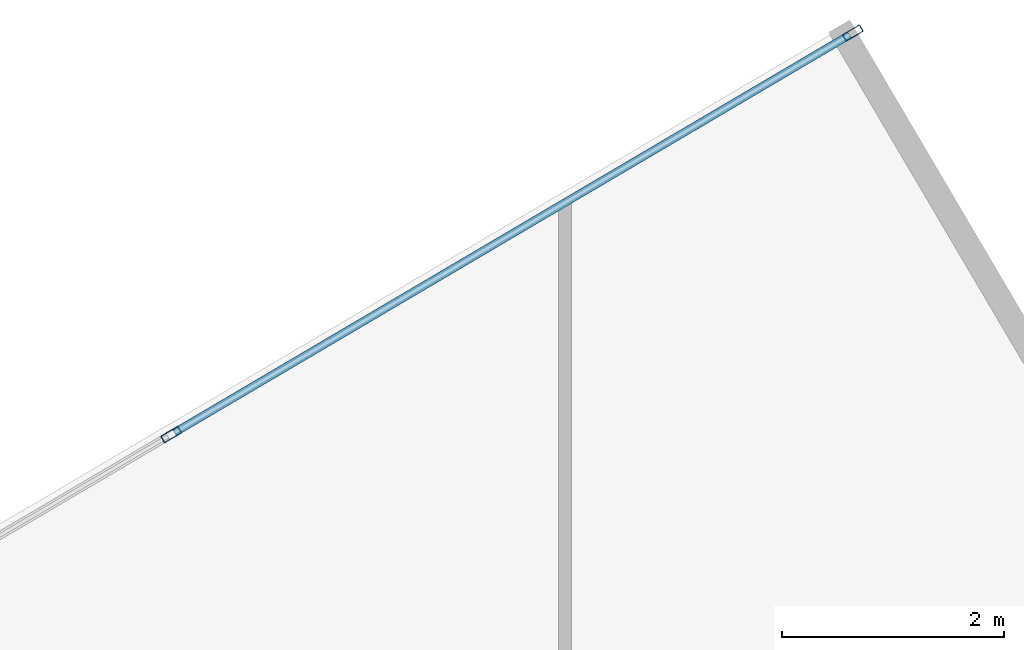
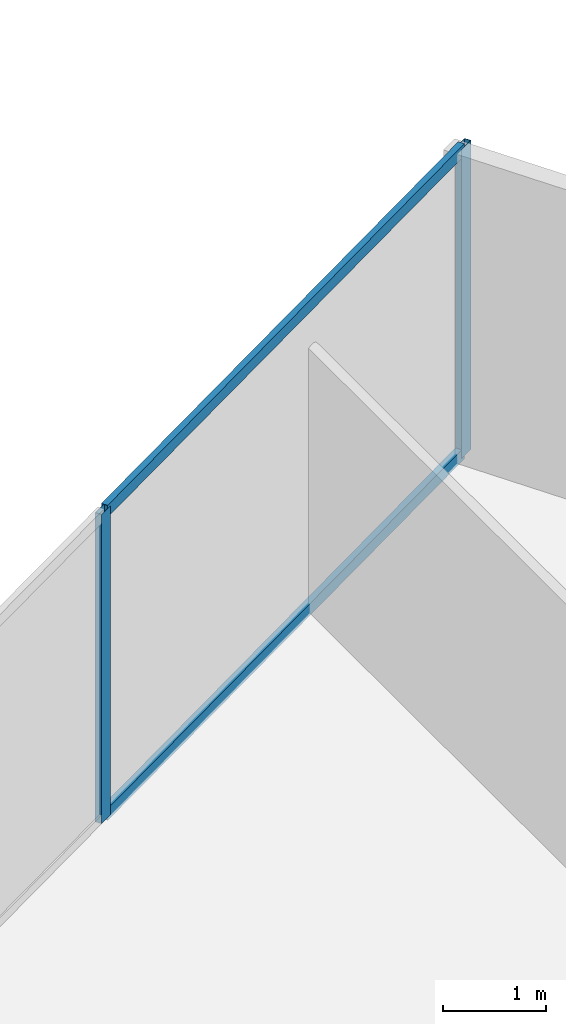
# One storey, part 14 of 20: 4 members, 1 element without a shape of its own.
"""IFC4 building model written with IfcOpenShell, lengths in metres."""

from ifc_helpers import new_model, si_unit, direction, frame, origin, origin_2d, place, context, subcontext, project, spatial, hollow_rectangle, extrude, source, transform, mapped, material, material_profile, profile_set, type_object, type_shapes, element, aggregate, save


model = new_model("IFC4")

# Units and contexts
model_context = context("Model", 3, precision=1e-05, world=origin(), true_north=direction((0.0, 1.0)))
body_context = subcontext(model_context, "Body", "Model", "MODEL_VIEW")
ifc_project = project(units=[si_unit("LENGTHUNIT", "METRE"), si_unit("AREAUNIT", "SQUARE_METRE"), si_unit("VOLUMEUNIT", "CUBIC_METRE"), si_unit("PLANEANGLEUNIT", "RADIAN"), si_unit("MASSUNIT", "GRAM", prefix="KILO")], contexts=[model_context])

# Site, building, storey
site_placement = place(None, origin())
site = spatial("IfcSite", under=ifc_project, at=site_placement, CompositionType="ELEMENT")
building_placement = place(site_placement, origin())
building = spatial("IfcBuilding", under=site, at=building_placement, Name="Krantzveldt Concourse Tower", CompositionType="ELEMENT")
storey_placement = place(building_placement, frame((0.0, 0.0, 299.0)))
storey = spatial("IfcBuildingStorey", under=building, at=storey_placement, Name="L73", CompositionType="ELEMENT", Elevation=299.0)

# Curtain wall, members
ifc_material = material(Name="Anodised aluminium 6063-T6", Category="aluminium")
curtain_wall_type = type_object("IfcCurtainWallType", Name="CW4", PredefinedType="USERDEFINED", material=ifc_material)
curtain_wall_placement = place(storey_placement, origin())
curtain_wall = element("IfcCurtainWall", 1, at=curtain_wall_placement, inside=storey, type_object=curtain_wall_type, Name="CW-L73-F01", ObjectType="UNITISED CURTAIN WALL", PredefinedType="USERDEFINED")
ifc_material_profile_1 = material_profile(ifc_material, hollow_rectangle(XDim=0.070068359375, YDim=0.179931640625, WallThickness=0.0048828125, at=origin_2d()), Name="Anodised aluminium 6063-T6", Category="aluminium")
ifc_profile_set_1 = profile_set([ifc_material_profile_1], Name="Anodised aluminium 6063-T6 - ALU-MULL 180x70x5")
member_type_1 = type_object("IfcMemberType", Name="CW-MUL-180", PredefinedType="MULLION", material=ifc_profile_set_1)
shared_shape_1 = source(origin(), body_context, "Body", "SweptSolid", [
    extrude(hollow_rectangle(XDim=0.070068359375, YDim=0.179931640625, WallThickness=0.0048828125, at=origin_2d()), origin(), (0.0, 0.0, 1.0), 3.669921875),
])
type_shapes(member_type_1, [shared_shape_1])
member_1_placement = place(storey_placement, frame((38.38916015625, 50.75048828125, 0.0), z_axis=(0.0, 0.0, 1.0), x_axis=(0.507538344223, -0.861629171479, 0.0)))
member_1 = element("IfcMember", 2, at=member_1_placement, type_object=member_type_1, Name="CW-Z56 mullion 1", PredefinedType="MULLION", context=body_context, shape_type="MappedRepresentation", body=[
    mapped(shared_shape_1, transform((0.0, 0.0, 0.0), x_axis=(1.0, 0.0, 0.0), y_axis=(0.0, 1.0, 0.0), z_axis=(0.0, 0.0, 1.0), scale=1.0)),
])
member_2_placement = place(storey_placement, frame((32.258544921875, 47.13916015625, 0.0), z_axis=(0.0, 0.0, 1.0), x_axis=(0.507538344223, -0.861629171479, 0.0)))
member_2 = element("IfcMember", 3, at=member_2_placement, type_object=member_type_1, Name="CW-Z56 mullion 2", PredefinedType="MULLION", context=body_context, shape_type="MappedRepresentation", body=[
    mapped(shared_shape_1, transform((0.0, 0.0, 0.0), x_axis=(1.0, 0.0, 0.0), y_axis=(0.0, 1.0, 0.0), z_axis=(0.0, 0.0, 1.0), scale=1.0)),
])
ifc_material_profile_2 = material_profile(ifc_material, hollow_rectangle(XDim=0.070068359375, YDim=0.139892578125, WallThickness=0.0048828125, at=origin_2d()), Name="Anodised aluminium 6063-T6", Category="aluminium")
ifc_profile_set_2 = profile_set([ifc_material_profile_2], Name="Anodised aluminium 6063-T6 - ALU-TRAN 140x70x5")
member_type_2 = type_object("IfcMemberType", Name="CW-TRN-150", PredefinedType="USERDEFINED", material=ifc_profile_set_2)
shared_shape_2 = source(origin(), body_context, "Body", "SweptSolid", [
    extrude(hollow_rectangle(XDim=0.070068359375, YDim=0.139892578125, WallThickness=0.0048828125, at=origin_2d()), origin(), (0.0, 0.0, 1.0), 7.044921875),
])
type_shapes(member_type_2, [shared_shape_2])
member_3_placement = place(storey_placement, frame((38.35888671875, 50.732666015625, 0.034912109375), z_axis=(-0.861620465116, -0.507553124405, 0.0), x_axis=(0.507553124405, -0.861620465116, 0.0)))
member_3 = element("IfcMember", 4, at=member_3_placement, type_object=member_type_2, Name="CW-Z56 transom 1.1", ObjectType="TRANSOM", PredefinedType="USERDEFINED", context=body_context, shape_type="MappedRepresentation", body=[
    mapped(shared_shape_2, transform((0.0, 0.0, 0.0), x_axis=(1.0, 0.0, 0.0), y_axis=(0.0, 1.0, 0.0), z_axis=(0.0, 0.0, 1.0), scale=1.0)),
])
member_4_placement = place(storey_placement, frame((38.35888671875, 50.732666015625, 3.635009765625), z_axis=(-0.861620465116, -0.507553124405, 0.0), x_axis=(0.507553124405, -0.861620465116, 0.0)))
member_4 = element("IfcMember", 5, at=member_4_placement, type_object=member_type_2, Name="CW-Z56 transom 1.2", ObjectType="TRANSOM", PredefinedType="USERDEFINED", context=body_context, shape_type="MappedRepresentation", body=[
    mapped(shared_shape_2, transform((0.0, 0.0, 0.0), x_axis=(1.0, 0.0, 0.0), y_axis=(0.0, 1.0, 0.0), z_axis=(0.0, 0.0, 1.0), scale=1.0)),
])
aggregate(curtain_wall, [member_1, member_2, member_3, member_4])

save(model, "model.ifc")
